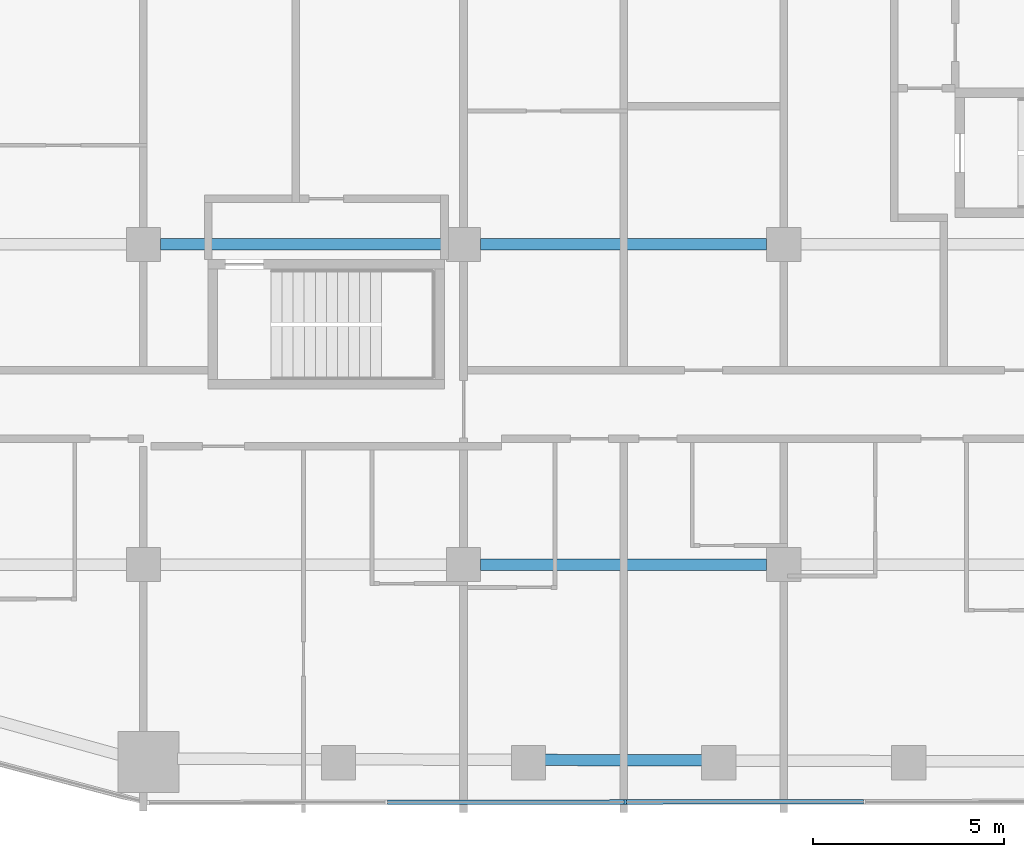
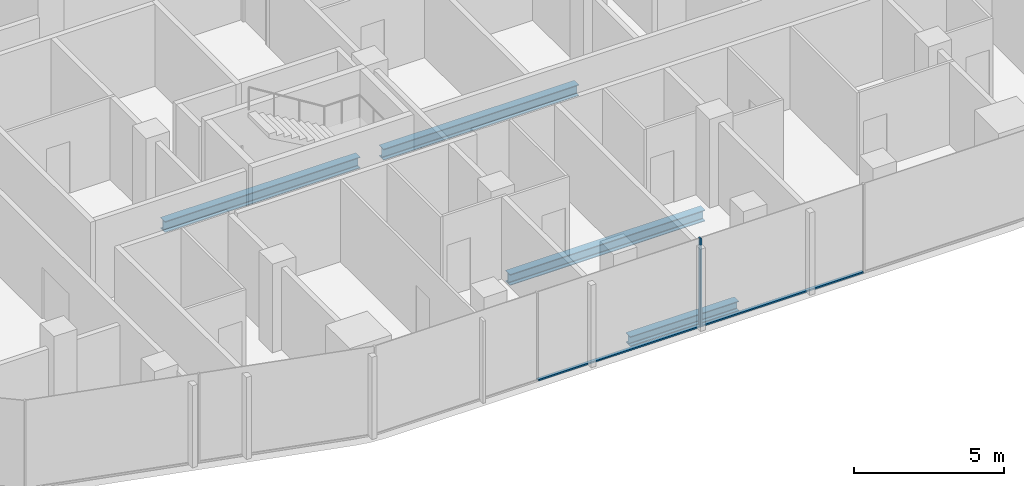
# One storey, part 3 of 23: 4 beams, 3 members, 1 element without a shape of its own.
"""IFC4 building model written with IfcOpenShell, lengths in metres."""

from ifc_helpers import new_model, si_unit, direction, frame, origin, origin_2d, place, context, subcontext, project, spatial, rectangle, i_section, extrude, material, layer, layer_set, material_profile, profile_set, type_object, element, aggregate, save


model = new_model("IFC4")

# Units and contexts
model_context = context("Model", 3, precision=1e-05, world=origin(), true_north=direction((0.0, 1.0)))
body_context = subcontext(model_context, "Body", "Model", "MODEL_VIEW")
ifc_project = project(units=[si_unit("LENGTHUNIT", "METRE"), si_unit("AREAUNIT", "SQUARE_METRE"), si_unit("VOLUMEUNIT", "CUBIC_METRE"), si_unit("PLANEANGLEUNIT", "RADIAN"), si_unit("MASSUNIT", "GRAM", prefix="KILO")], contexts=[model_context])

# Site, building, storey
site_placement = place(None, origin())
site = spatial("IfcSite", under=ifc_project, at=site_placement, CompositionType="ELEMENT")
building_placement = place(site_placement, origin())
building = spatial("IfcBuilding", under=site, at=building_placement, Name="Marenta Gate Hotel Tower", CompositionType="ELEMENT")
storey_placement = place(building_placement, frame((0.0, 0.0, 162.5)))
storey = spatial("IfcBuildingStorey", under=building, at=storey_placement, Name="L38", CompositionType="ELEMENT", Elevation=162.5)

# Beams
ifc_material_1 = material(Name="Steel S355", Category="steel")
ifc_material_profile_1 = material_profile(ifc_material_1, i_section(OverallWidth=0.300048828125, OverallDepth=0.39990234375, WebThickness=0.013427734375, FlangeThickness=0.02392578125, FilletRadius=0.027099609375, at=origin_2d()), Name="HEB 400")
ifc_profile_set_1 = profile_set([ifc_material_profile_1], Name="Steel S355")
beam_type_1 = type_object("IfcBeamType", Name="Edge beam HEB 400", PredefinedType="SPANDREL", material=ifc_profile_set_1)
beam_placement = place(storey_placement, frame((2.08349609375, -21.939453125, -0.4599609375), z_axis=(-0.999994808095, 0.003222387769, 0.0), x_axis=(-0.003222387769, -0.999994808095, 0.0)))
element("IfcBeam", 1, at=beam_placement, inside=storey, type_object=beam_type_1, Name="L38-EB-34", PredefinedType="SPANDREL", context=body_context, shape_type="SweptSolid", body=[
    extrude(i_section(OverallWidth=0.300048828125, OverallDepth=0.39990234375, WebThickness=0.013427734375, FlangeThickness=0.02392578125, FilletRadius=0.027099609375, at=origin_2d()), origin(), (0.0, 0.0, 1.0), 4.1669921875),
])
ifc_material_2 = material(Name="Steel S355", Category="steel")
ifc_material_profile_2 = material_profile(ifc_material_2, i_section(OverallWidth=0.300048828125, OverallDepth=0.449951171875, WebThickness=0.013916015625, FlangeThickness=0.02587890625, FilletRadius=0.027099609375, at=origin_2d()), Name="HEB 450")
ifc_profile_set_2 = profile_set([ifc_material_profile_2], Name="Steel S355")
beam_type_2 = type_object("IfcBeamType", Name="Girder HEB 450", PredefinedType="BEAM", material=ifc_profile_set_2)
for number, where, z_axis, x_axis, name in (
    (2, (-3.75, -16.800048828125, -0.485107421875), (1.0, 0.0, 0.0), (0.0, 1.0, 0.0), "L38-GD-4"),
    (3, (-12.14990234375, -8.39990234375, -0.485107421875), (1.0, 0.0, 0.0), (0.0, 1.0, 0.0), "L38-GD-10"),
    (4, (-3.75, -8.39990234375, -0.485107421875), (1.0, 0.0, 0.0), (0.0, 1.0, 0.0), "L38-GD-11"),
):
    element("IfcBeam", number, at=place(storey_placement, frame(where, z_axis=z_axis, x_axis=x_axis)), inside=storey, type_object=beam_type_2, Name=name, PredefinedType="BEAM", context=body_context, shape_type="SweptSolid", body=[
        extrude(i_section(OverallWidth=0.300048828125, OverallDepth=0.449951171875, WebThickness=0.013916015625, FlangeThickness=0.02587890625, FilletRadius=0.027099609375, at=origin_2d()), origin(), (0.0, 0.0, 1.0), 7.5),
    ])

# Curtain wall, members
ifc_material_3 = material(Name="Tinted insulated glass in bronze anodised frame", Category="glass")
ifc_layer = layer(ifc_material_3, 0.1201171875)
ifc_layer_set = layer_set([ifc_layer], Name="Tinted insulated glass in bronze anodised frame")
curtain_wall_type = type_object("IfcCurtainWallType", Name="Tower unitised curtain wall CW1", PredefinedType="NOTDEFINED", material=ifc_layer_set)
curtain_wall_placement = place(storey_placement, origin())
curtain_wall = element("IfcCurtainWall", 5, at=curtain_wall_placement, inside=storey, type_object=curtain_wall_type, Name="CW1 run G07", PredefinedType="NOTDEFINED")
ifc_material_4 = material(Name="Bronze anodised aluminium", Category="aluminium")
ifc_material_profile_3 = material_profile(ifc_material_4, rectangle(XDim=0.1201171875, YDim=0.06005859375, at=origin_2d()), Name="Mullion CW1 60x120 bronze anodised aluminium")
ifc_profile_set_3 = profile_set([ifc_material_profile_3], Name="Bronze anodised aluminium")
member_type_1 = type_object("IfcMemberType", Name="Mullion CW1 60x120 bronze anodised aluminium", PredefinedType="MULLION", material=ifc_profile_set_3)
member_1_placement = place(storey_placement, frame((0.0458984375, -23.030517578125, 0.0), z_axis=(0.0, 0.0, 1.0), x_axis=(-0.001362347707, 0.999999072004, 0.0)))
member_1 = element("IfcMember", 6, at=member_1_placement, type_object=member_type_1, Name="CW1 mullion 3", PredefinedType="MULLION", context=body_context, shape_type="SweptSolid", body=[
    extrude(rectangle(XDim=0.1201171875, YDim=0.06005859375, at=origin_2d()), origin(), (0.0, 0.0, 1.0), 3.60009765625),
])
ifc_material_5 = material(Name="Bronze anodised aluminium", Category="aluminium")
ifc_material_profile_4 = material_profile(ifc_material_5, rectangle(XDim=0.1201171875, YDim=0.06005859375, at=origin_2d()), Name="Transom CW1 60x120 bronze anodised aluminium")
ifc_profile_set_4 = profile_set([ifc_material_profile_4], Name="Bronze anodised aluminium")
member_type_2 = type_object("IfcMemberType", Name="Transom CW1 60x120 bronze anodised aluminium", PredefinedType="USERDEFINED", material=ifc_profile_set_4)
member_2_placement = place(storey_placement, frame((-6.199951171875, -23.038818359375, 0.030029296875), z_axis=(0.999999108317, 0.001335426932, 0.0), x_axis=(-0.001335426932, 0.999999108317, 0.0)))
member_2 = element("IfcMember", 7, at=member_2_placement, type_object=member_type_2, Name="CW1 transom 2.1", ObjectType="TRANSOM", PredefinedType="USERDEFINED", context=body_context, shape_type="SweptSolid", body=[
    extrude(rectangle(XDim=0.1201171875, YDim=0.06005859375, at=origin_2d()), origin(), (0.0, 0.0, 1.0), 6.2158203125),
])
member_3_placement = place(storey_placement, frame((0.075927734375, -23.0302734375, 0.030029296875), z_axis=(0.999999108387, 0.001335374482, 0.0), x_axis=(-0.001335374482, 0.999999108387, 0.0)))
member_3 = element("IfcMember", 8, at=member_3_placement, type_object=member_type_2, Name="CW1 transom 3.1", ObjectType="TRANSOM", PredefinedType="USERDEFINED", context=body_context, shape_type="SweptSolid", body=[
    extrude(rectangle(XDim=0.1201171875, YDim=0.06005859375, at=origin_2d()), origin(), (0.0, 0.0, 1.0), 6.216064453125),
])
aggregate(curtain_wall, [member_1, member_2, member_3])

save(model, "model.ifc")
